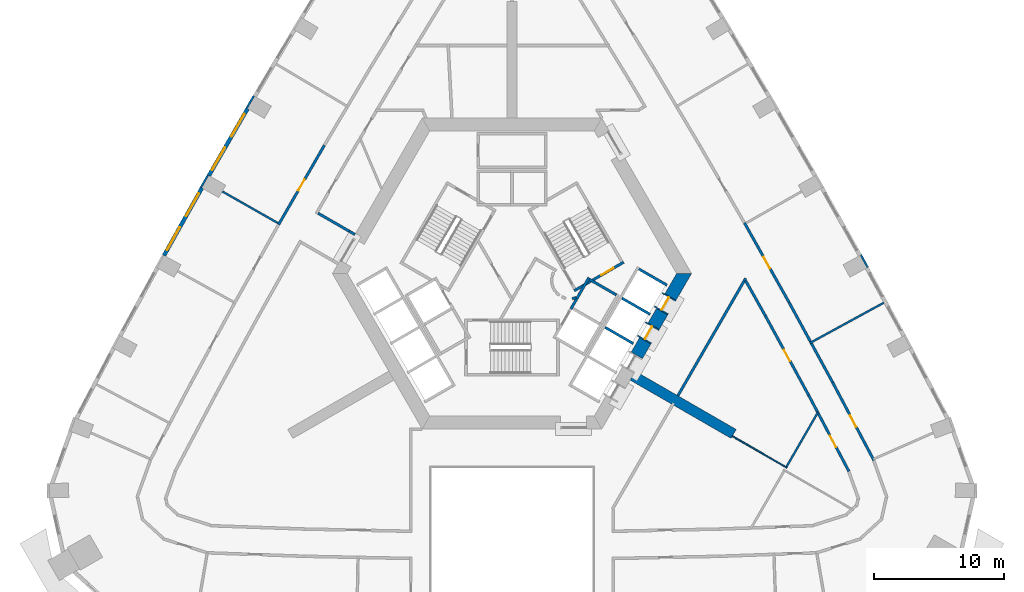
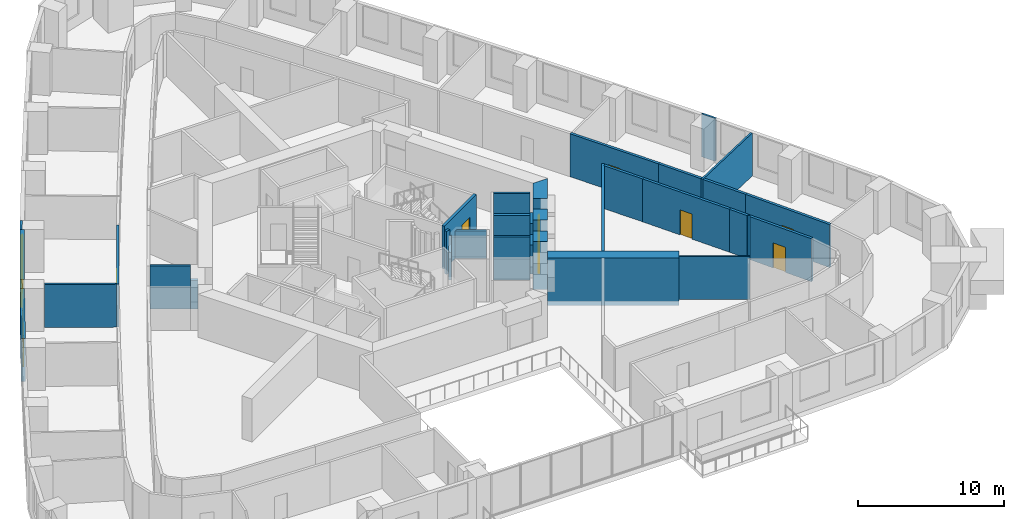
# One storey, part 7 of 14: 34 walls, 8 doors, 4 windows, 12 openings.
"""IFC4 building model written with IfcOpenShell, lengths in metres."""

from ifc_helpers import new_model, si_unit, direction, frame, frame_2d, origin, place, context, subcontext, project, spatial, polyline, rectangle, outline, extrude, material, layer, layer_set, type_object, element, fill, save


model = new_model("IFC4")

# Units and contexts
model_context = context("Model", 3, precision=1e-05, world=origin(), true_north=direction((0.0, 1.0)))
body_context = subcontext(model_context, "Body", "Model", "MODEL_VIEW")
ifc_project = project(units=[si_unit("LENGTHUNIT", "METRE"), si_unit("AREAUNIT", "SQUARE_METRE"), si_unit("VOLUMEUNIT", "CUBIC_METRE"), si_unit("PLANEANGLEUNIT", "RADIAN"), si_unit("MASSUNIT", "GRAM", prefix="KILO")], contexts=[model_context])

# Site, building, storey
site_placement = place(None, origin())
site = spatial("IfcSite", under=ifc_project, at=site_placement, CompositionType="ELEMENT")
building_placement = place(site_placement, origin())
building = spatial("IfcBuilding", under=site, at=building_placement, Name="Entoto Arch Interchange Tower", CompositionType="ELEMENT")
storey_placement = place(building_placement, frame((0.0, 0.0, 180.199951171875)))
storey = spatial("IfcBuildingStorey", under=building, at=storey_placement, Name="L40", CompositionType="ELEMENT", Elevation=180.199951171875)

# Walls
ifc_material_1 = material(Name="Concrete C50/60", Category="concrete")
ifc_layer_1 = layer(ifc_material_1, 0.800048828125)
ifc_layer_set_1 = layer_set([ifc_layer_1], Name="Concrete C50/60")
wall_type_1 = type_object("IfcWallType", Name="Buttress wall 800 C50/60", PredefinedType="SHEAR", material=ifc_layer_set_1)
wall_1_placement = place(storey_placement, frame((9.31005859375, -5.375, -0.39990234375), z_axis=(0.0, 0.0, 1.0), x_axis=(0.866017533419, -0.500013631625, 0.0)))
element("IfcWall", 1, at=wall_1_placement, inside=storey, type_object=wall_type_1, Name="Buttress wall SE L40", PredefinedType="SHEAR", context=body_context, shape_type="SweptSolid", body=[
    extrude(rectangle(XDim=8.999755859375, YDim=0.800048828125, at=frame_2d((4.5, 0.0))), origin(), (0.0, 0.0, 1.0), 4.0),
])
ifc_layer_2 = layer(ifc_material_1, 1.0)
ifc_layer_set_2 = layer_set([ifc_layer_2], Name="Concrete C50/60")
wall_type_2 = type_object("IfcWallType", Name="Core wall 1000 C50/60", PredefinedType="SHEAR", material=ifc_layer_set_2)
wall_2_placement = place(storey_placement, frame((0.0, 0.0, -0.39990234375)))
element("IfcWall", 2, at=wall_2_placement, inside=storey, type_object=wall_type_2, Name="Core wall SE L40", PredefinedType="SHEAR", context=body_context, shape_type="SweptSolid", body=[
    extrude(outline(polyline([(10.717041015625, -2.93701171875), (9.85107421875, -2.43701171875), (9.200927734375, -3.56298828125), (10.06689453125, -4.06298828125), (10.717041015625, -2.93701171875)])), origin(), (0.0, 0.0, 1.0), 4.0),
])
wall_3_placement = place(storey_placement, frame((0.0, 0.0, -0.39990234375)))
element("IfcWall", 3, at=wall_3_placement, inside=storey, type_object=wall_type_2, Name="Core wall SE L40", PredefinedType="SHEAR", context=body_context, shape_type="SweptSolid", body=[
    extrude(outline(polyline([(12.01708984375, -0.68603515625), (11.15087890625, -0.18603515625), (10.5009765625, -1.31103515625), (11.366943359375, -1.81103515625), (12.01708984375, -0.68603515625)])), origin(), (0.0, 0.0, 1.0), 4.0),
])
wall_4_placement = place(storey_placement, frame((0.0, 0.0, -0.39990234375)))
element("IfcWall", 4, at=wall_4_placement, inside=storey, type_object=wall_type_2, Name="Core wall SE L40", PredefinedType="SHEAR", context=body_context, shape_type="SweptSolid", body=[
    extrude(outline(polyline([(11.801025390625, 0.93994140625), (12.6669921875, 0.43994140625), (13.85595703125, 2.5), (12.701904296875, 2.5), (11.801025390625, 0.93994140625)])), origin(), (0.0, 0.0, 1.0), 4.0),
])

# Wall, opening, door
ifc_material_2 = material(Name="Concrete C40/50", Category="concrete")
ifc_layer_3 = layer(ifc_material_2, 1.199951171875)
ifc_layer_set_3 = layer_set([ifc_layer_3], Name="Concrete C40/50")
wall_type_3 = type_object("IfcWallType", Name="LIFT LANDING INFILL WALL", PredefinedType="STANDARD", material=ifc_layer_set_3)
wall_5_placement = place(storey_placement, frame((10.197998046875, -2.636962890625, 0.0), z_axis=(0.0, 0.0, 1.0), x_axis=(0.49989585183, 0.866085525409, 0.0)))
wall_5 = element("IfcWall", 5, at=wall_5_placement, inside=storey, type_object=wall_type_3, Name="Lift landing infill wall LR7 L40", PredefinedType="STANDARD", context=body_context, shape_type="SweptSolid", body=[
    extrude(rectangle(XDim=1.300048828125, YDim=1.199951171875, at=frame_2d((0.64990234375, 0.0))), origin(), (0.0, 0.0, 1.0), 2.400146484375),
])
opening_1_placement = place(wall_5_placement, frame((0.10009765625, 0.0, 0.0)))
opening_1 = element("IfcOpeningElement", 6, at=opening_1_placement, cuts=wall_5, Name="Opening LD-LR7-L40", PredefinedType="OPENING", context=body_context, shape_type="SweptSolid", body=[
    extrude(rectangle(XDim=1.10009765625, YDim=2.300048828125, at=frame_2d((0.550048828125, 1.14990234375))), frame((0.0, 0.60986328125, 0.0), z_axis=(0.0, -1.0, 0.0), x_axis=(1.0, 0.0, 0.0)), (0.0, 0.0, 1.0), 1.219970703125),
])
ifc_material_3 = material(Name="Stainless steel 1.4301 panels", Category="steel")
door_type_1 = type_object("IfcDoorType", Name="LIFT LANDING DOOR LD2 1100x2300", OperationType="SLIDING_TO_LEFT", PredefinedType="DOOR", material=ifc_material_3)
door_1_placement = place(opening_1_placement, origin())
door_1 = element("IfcDoor", 7, at=door_1_placement, inside=storey, type_object=door_type_1, Name="Lift landing door LR7 L40", OperationType="SLIDING_TO_LEFT", OverallHeight=2.300048828125, OverallWidth=1.10009765625, PredefinedType="DOOR", context=body_context, shape_type="SweptSolid", body=[
    extrude(rectangle(XDim=1.10009765625, YDim=2.300048828125, at=frame_2d((0.550048828125, 1.14990234375))), frame((0.0, 0.02490234375, 0.0), z_axis=(0.0, -1.0, 0.0), x_axis=(1.0, 0.0, 0.0)), (0.0, 0.0, 1.0), 0.050048828125),
])
fill(opening_1, door_1)

wall_6_placement = place(storey_placement, frame((11.498046875, -0.385009765625, 0.0), z_axis=(0.0, 0.0, 1.0), x_axis=(0.500221244143, 0.865897630733, 0.0)))
wall_6 = element("IfcWall", 8, at=wall_6_placement, inside=storey, type_object=wall_type_3, Name="Lift landing infill wall LR8 L40", PredefinedType="STANDARD", context=body_context, shape_type="SweptSolid", body=[
    extrude(rectangle(XDim=1.29931640625, YDim=1.199951171875, at=frame_2d((0.649658203125, 0.0))), origin(), (0.0, 0.0, 1.0), 2.400146484375),
])
opening_2_placement = place(wall_6_placement, frame((0.10009765625, 0.0, 0.0)))
opening_2 = element("IfcOpeningElement", 9, at=opening_2_placement, cuts=wall_6, Name="Opening LD-LR8-L40", PredefinedType="OPENING", context=body_context, shape_type="SweptSolid", body=[
    extrude(rectangle(XDim=1.10009765625, YDim=2.300048828125, at=frame_2d((0.550048828125, 1.14990234375))), frame((0.0, 0.60986328125, 0.0), z_axis=(0.0, -1.0, 0.0), x_axis=(1.0, 0.0, 0.0)), (0.0, 0.0, 1.0), 1.219970703125),
])
door_2_placement = place(opening_2_placement, origin())
door_2 = element("IfcDoor", 10, at=door_2_placement, inside=storey, type_object=door_type_1, Name="Lift landing door LR8 L40", OperationType="SLIDING_TO_LEFT", OverallHeight=2.300048828125, OverallWidth=1.10009765625, PredefinedType="DOOR", context=body_context, shape_type="SweptSolid", body=[
    extrude(rectangle(XDim=1.10009765625, YDim=2.300048828125, at=frame_2d((0.550048828125, 1.14990234375))), frame((0.0, 0.02490234375, 0.0), z_axis=(0.0, -1.0, 0.0), x_axis=(1.0, 0.0, 0.0)), (0.0, 0.0, 1.0), 0.050048828125),
])
fill(opening_2, door_2)

# Walls
ifc_layer_4 = layer(ifc_material_2, 0.199951171875)
ifc_layer_set_4 = layer_set([ifc_layer_4], Name="Concrete C40/50")
wall_type_4 = type_object("IfcWallType", Name="LIFT SHAFT WALL 200", PredefinedType="STANDARD", material=ifc_layer_set_4)
for number, where, z_axis, x_axis, name in (
    (11, (7.18798828125, -1.64990234375, 0.0), (0.0, 0.0, 1.0), (0.866022959057, -0.500004234368, 0.0), "Shaft wall SE3 cross 3"),
    (12, (8.488037109375, 0.60205078125, 0.0), (0.0, 0.0, 1.0), (0.866022959057, -0.500004234368, 0.0), "Shaft wall SE3 cross 4"),
):
    element("IfcWall", number, at=place(storey_placement, frame(where, z_axis=z_axis, x_axis=x_axis)), inside=storey, type_object=wall_type_4, Name=name, PredefinedType="STANDARD", context=body_context, shape_type="SweptSolid", body=[
        extrude(rectangle(XDim=2.5, YDim=0.199951171875, at=frame_2d((1.25, 0.0))), origin(), (0.0, 0.0, 1.0), 3.60009765625),
    ])
wall_7_placement = place(storey_placement, frame((9.7880859375, 2.85302734375, 0.0), z_axis=(0.0, 0.0, 1.0), x_axis=(0.865998541277, -0.500046524342, 0.0)))
element("IfcWall", 13, at=wall_7_placement, inside=storey, type_object=wall_type_4, Name="Shaft wall SE3 cross 5", PredefinedType="STANDARD", context=body_context, shape_type="SweptSolid", body=[
    extrude(rectangle(XDim=2.499755859375, YDim=0.199951171875, at=frame_2d((1.25, 0.0))), origin(), (0.0, 0.0, 1.0), 3.60009765625),
])
wall_8_placement = place(storey_placement, frame((4.5400390625, -0.237060546875, 0.0), z_axis=(0.0, 0.0, 1.0), x_axis=(0.49994636267, 0.866056369097, 0.0)))
element("IfcWall", 14, at=wall_8_placement, inside=storey, type_object=wall_type_4, Name="Pit wall HR3 1", PredefinedType="STANDARD", context=body_context, shape_type="SweptSolid", body=[
    extrude(rectangle(XDim=2.800048828125, YDim=0.199951171875, at=frame_2d((1.39990234375, 0.0))), origin(), (0.0, 0.0, 1.0), 2.300048828125),
])
wall_9_placement = place(storey_placement, frame((5.97705078125, 2.052001953125, 0.0), z_axis=(0.0, 0.0, 1.0), x_axis=(0.865973769406, -0.500089422704, 0.0)))
element("IfcWall", 15, at=wall_9_placement, inside=storey, type_object=wall_type_4, Name="Pit wall HR3 4", PredefinedType="STANDARD", context=body_context, shape_type="SweptSolid", body=[
    extrude(rectangle(XDim=2.3994140625, YDim=0.199951171875, at=frame_2d((1.19970703125, 0.0))), origin(), (0.0, 0.0, 1.0), 2.300048828125),
])
ifc_material_4 = material(Name="Gypsum board partition on steel studs", Category="steel")
ifc_layer_5 = layer(ifc_material_4, 0.10009765625)
ifc_layer_set_5 = layer_set([ifc_layer_5], Name="Gypsum board partition on steel studs")
wall_type_5 = type_object("IfcWallType", Name="PARTITION 100", PredefinedType="PARTITIONING", material=ifc_layer_set_5)
wall_10_placement = place(storey_placement, frame((17.00390625, -10.047119140625, 0.0), z_axis=(0.0, 0.0, 1.0), x_axis=(0.865997117979, -0.500048989253, 0.0)))
element("IfcWall", 16, at=wall_10_placement, inside=storey, type_object=wall_type_5, Name="wall:L40:p108", PredefinedType="PARTITIONING", context=body_context, shape_type="SweptSolid", body=[
    extrude(rectangle(XDim=4.87548828125, YDim=0.10009765625, at=frame_2d((2.437744140625, 0.0))), origin(), (0.0, 0.0, 1.0), 3.60009765625),
])
ifc_layer_6 = layer(ifc_material_4, 0.14990234375)
ifc_layer_set_6 = layer_set([ifc_layer_6], Name="Gypsum board partition on steel studs")
wall_type_6 = type_object("IfcWallType", Name="PARTITION 150", PredefinedType="PARTITIONING", material=ifc_layer_set_6)
wall_11_placement = place(storey_placement, frame((23.60009765625, -8.22412109375, 0.0), z_axis=(0.0, 0.0, 1.0), x_axis=(-0.500120854176, -0.865955617349, 0.0)))
element("IfcWall", 17, at=wall_11_placement, inside=storey, type_object=wall_type_6, Name="wall:L40:p110", PredefinedType="PARTITIONING", context=body_context, shape_type="SweptSolid", body=[
    extrude(rectangle(XDim=4.826904296875, YDim=0.14990234375, at=frame_2d((2.41357421875, 0.0))), origin(), (0.0, 0.0, 1.0), 3.60009765625),
])
wall_12_placement = place(storey_placement, frame((22.97802734375, -2.865966796875, 0.0), z_axis=(0.0, 0.0, 1.0), x_axis=(0.878049098929, 0.478570558925, 0.0)))
element("IfcWall", 18, at=wall_12_placement, inside=storey, type_object=wall_type_6, Name="wall:L40:p115", PredefinedType="PARTITIONING", context=body_context, shape_type="SweptSolid", body=[
    extrude(rectangle(XDim=6.500732421875, YDim=0.14990234375, at=frame_2d((3.25048828125, 0.0))), origin(), (0.0, 0.0, 1.0), 3.60009765625),
])
wall_13_placement = place(storey_placement, frame((-18.06201171875, 6.39501953125, 0.0), z_axis=(0.0, 0.0, 1.0), x_axis=(-0.869113540562, 0.494612629854, 0.0)))
element("IfcWall", 19, at=wall_13_placement, inside=storey, type_object=wall_type_6, Name="wall:L40:p123", PredefinedType="PARTITIONING", context=body_context, shape_type="SweptSolid", body=[
    extrude(rectangle(XDim=4.92919921875, YDim=0.14990234375, at=frame_2d((2.464599609375, 0.0))), origin(), (0.0, 0.0, 1.0), 3.60009765625),
])
ifc_layer_7 = layer(ifc_material_4, 0.199951171875)
ifc_layer_set_7 = layer_set([ifc_layer_7], Name="Gypsum board partition on steel studs")
wall_type_7 = type_object("IfcWallType", Name="PARTITION 200", PredefinedType="PARTITIONING", material=ifc_layer_set_7)
wall_14_placement = place(storey_placement, frame((-14.966064453125, 7.156982421875, 0.0), z_axis=(0.0, 0.0, 1.0), x_axis=(0.86600487494, -0.500035555316, 0.0)))
element("IfcWall", 20, at=wall_14_placement, inside=storey, type_object=wall_type_7, Name="wall:L40:p004", PredefinedType="PARTITIONING", context=body_context, shape_type="SweptSolid", body=[
    extrude(rectangle(XDim=2.789794921875, YDim=0.199951171875, at=frame_2d((1.39501953125, 0.0))), origin(), (0.0, 0.0, 1.0), 3.60009765625),
])
wall_15_placement = place(storey_placement, frame((23.56494140625, -8.157958984375, 0.0), z_axis=(0.0, 0.0, 1.0), x_axis=(-0.46753134131, 0.883976495668, 0.0)))
element("IfcWall", 21, at=wall_15_placement, inside=storey, type_object=wall_type_7, Name="wall:L40:p022", PredefinedType="PARTITIONING", context=body_context, shape_type="SweptSolid", body=[
    extrude(rectangle(XDim=1.447998046875, YDim=0.199951171875, at=frame_2d((0.72412109375, 0.0))), origin(), (0.0, 0.0, 1.0), 3.60009765625),
])

# Wall, opening, door
wall_16_placement = place(storey_placement, frame((22.887939453125, -6.8779296875, 0.0), z_axis=(0.0, 0.0, 1.0), x_axis=(-0.478665365973, 0.877997418799, 0.0)))
wall_16 = element("IfcWall", 22, at=wall_16_placement, inside=storey, type_object=wall_type_7, Name="wall:L40:p023", PredefinedType="PARTITIONING", context=body_context, shape_type="SweptSolid", body=[
    extrude(rectangle(XDim=6.961181640625, YDim=0.199951171875, at=frame_2d((3.48046875, 0.0))), origin(), (0.0, 0.0, 1.0), 3.60009765625),
])
opening_3_placement = place(wall_16_placement, frame((2.98095703125, 0.0, 0.0)))
opening_3 = element("IfcOpeningElement", 23, at=opening_3_placement, cuts=wall_16, Name="Opening L40-D20", PredefinedType="OPENING", context=body_context, shape_type="SweptSolid", body=[
    extrude(rectangle(XDim=1.0, YDim=2.10009765625, at=frame_2d((0.5, 1.050048828125))), frame((0.0, 0.10986328125, 0.0), z_axis=(0.0, -1.0, 0.0), x_axis=(1.0, 0.0, 0.0)), (0.0, 0.0, 1.0), 0.219970703125),
])
ifc_material_5 = material(Name="Timber door leaf in Steel S235 frame", Category="steel")
door_type_2 = type_object("IfcDoorType", Name="DOOR DS-10 1000x2100", OperationType="SINGLE_SWING_LEFT", PredefinedType="DOOR", material=ifc_material_5)
door_3_placement = place(opening_3_placement, origin())
door_3 = element("IfcDoor", 24, at=door_3_placement, inside=storey, type_object=door_type_2, Name="door:L40:20", OperationType="SINGLE_SWING_LEFT", OverallHeight=2.10009765625, OverallWidth=1.0, PredefinedType="DOOR", context=body_context, shape_type="SweptSolid", body=[
    extrude(rectangle(XDim=1.0, YDim=2.10009765625, at=frame_2d((0.5, 1.050048828125))), frame((0.0, 0.02490234375, 0.0), z_axis=(0.0, -1.0, 0.0), x_axis=(1.0, 0.0, 0.0)), (0.0, 0.0, 1.0), 0.050048828125),
])
fill(opening_3, door_3)

# Wall
wall_17_placement = place(storey_placement, frame((19.555908203125, -0.76611328125, 0.0), z_axis=(0.0, 0.0, 1.0), x_axis=(-0.489198731197, 0.872172346154, 0.0)))
element("IfcWall", 25, at=wall_17_placement, inside=storey, type_object=wall_type_7, Name="wall:L40:p024", PredefinedType="PARTITIONING", context=body_context, shape_type="SweptSolid", body=[
    extrude(rectangle(XDim=3.12109375, YDim=0.199951171875, at=frame_2d((1.560546875, 0.0))), origin(), (0.0, 0.0, 1.0), 3.60009765625),
])

# Wall, opening, door
wall_18_placement = place(storey_placement, frame((26.0, -12.761962890625, 0.0), z_axis=(0.0, 0.0, 1.0), x_axis=(-0.467534471159, 0.883974840297, 0.0)))
wall_18 = element("IfcWall", 26, at=wall_18_placement, inside=storey, type_object=wall_type_7, Name="wall:L40:p031", PredefinedType="PARTITIONING", context=body_context, shape_type="SweptSolid", body=[
    extrude(rectangle(XDim=5.208251953125, YDim=0.199951171875, at=frame_2d((2.60400390625, 0.0))), origin(), (0.0, 0.0, 1.0), 3.60009765625),
])
opening_4_placement = place(wall_18_placement, frame((2.10400390625, 0.0, 0.0)))
opening_4 = element("IfcOpeningElement", 27, at=opening_4_placement, cuts=wall_18, Name="Opening L40-D22", PredefinedType="OPENING", context=body_context, shape_type="SweptSolid", body=[
    extrude(rectangle(XDim=1.0, YDim=2.10009765625, at=frame_2d((0.5, 1.050048828125))), frame((0.0, 0.10986328125, 0.0), z_axis=(0.0, -1.0, 0.0), x_axis=(1.0, 0.0, 0.0)), (0.0, 0.0, 1.0), 0.219970703125),
])
door_4_placement = place(opening_4_placement, origin())
door_4 = element("IfcDoor", 28, at=door_4_placement, inside=storey, type_object=door_type_2, Name="door:L40:22", OperationType="SINGLE_SWING_LEFT", OverallHeight=2.10009765625, OverallWidth=1.0, PredefinedType="DOOR", context=body_context, shape_type="SweptSolid", body=[
    extrude(rectangle(XDim=1.0, YDim=2.10009765625, at=frame_2d((0.5, 1.050048828125))), frame((0.0, 0.02490234375, 0.0), z_axis=(0.0, -1.0, 0.0), x_axis=(1.0, 0.0, 0.0)), (0.0, 0.0, 1.0), 0.050048828125),
])
fill(opening_4, door_4)

# Wall
wall_19_placement = place(storey_placement, frame((23.10205078125, -2.884033203125, 0.0), z_axis=(0.0, 0.0, 1.0), x_axis=(0.478646929322, -0.878007469815, 0.0)))
element("IfcWall", 29, at=wall_19_placement, inside=storey, type_object=wall_type_7, Name="wall:L40:p049", PredefinedType="PARTITIONING", context=body_context, shape_type="SweptSolid", body=[
    extrude(rectangle(XDim=3.41796875, YDim=0.199951171875, at=frame_2d((1.708984375, 0.0))), origin(), (0.0, 0.0, 1.0), 3.60009765625),
])

# Wall, opening, door
wall_20_placement = place(storey_placement, frame((24.738037109375, -5.885009765625, 0.0), z_axis=(0.0, 0.0, 1.0), x_axis=(0.467616297571, -0.883931557444, 0.0)))
wall_20 = element("IfcWall", 30, at=wall_20_placement, inside=storey, type_object=wall_type_7, Name="wall:L40:p050", PredefinedType="PARTITIONING", context=body_context, shape_type="SweptSolid", body=[
    extrude(rectangle(XDim=6.819580078125, YDim=0.199951171875, at=frame_2d((3.40966796875, 0.0))), origin(), (0.0, 0.0, 1.0), 3.60009765625),
])
opening_5_placement = place(wall_20_placement, frame((2.909912109375, 0.0, 0.0)))
opening_5 = element("IfcOpeningElement", 31, at=opening_5_placement, cuts=wall_20, Name="Opening L40-D04", PredefinedType="OPENING", context=body_context, shape_type="SweptSolid", body=[
    extrude(rectangle(XDim=1.0, YDim=2.10009765625, at=frame_2d((0.5, 1.050048828125))), frame((0.0, 0.10986328125, 0.0), z_axis=(0.0, -1.0, 0.0), x_axis=(1.0, 0.0, 0.0)), (0.0, 0.0, 1.0), 0.219970703125),
])
door_5_placement = place(opening_5_placement, origin())
door_5 = element("IfcDoor", 32, at=door_5_placement, inside=storey, type_object=door_type_2, Name="door:L40:04", OperationType="SINGLE_SWING_LEFT", OverallHeight=2.10009765625, OverallWidth=1.0, PredefinedType="DOOR", context=body_context, shape_type="SweptSolid", body=[
    extrude(rectangle(XDim=1.0, YDim=2.10009765625, at=frame_2d((0.5, 1.050048828125))), frame((0.0, 0.02490234375, 0.0), z_axis=(0.0, -1.0, 0.0), x_axis=(1.0, 0.0, 0.0)), (0.0, 0.0, 1.0), 0.050048828125),
])
fill(opening_5, door_5)

wall_21_placement = place(storey_placement, frame((17.93798828125, 6.410888671875, 0.0), z_axis=(0.0, 0.0, 1.0), x_axis=(0.48930419744, -0.872113182086, 0.0)))
wall_21 = element("IfcWall", 33, at=wall_21_placement, inside=storey, type_object=wall_type_7, Name="wall:L40:p051", PredefinedType="PARTITIONING", context=body_context, shape_type="SweptSolid", body=[
    extrude(rectangle(XDim=7.063232421875, YDim=0.199951171875, at=frame_2d((3.53173828125, 0.0))), origin(), (0.0, 0.0, 1.0), 3.60009765625),
])
opening_6_placement = place(wall_21_placement, frame((3.031982421875, 0.0, 0.0)))
opening_6 = element("IfcOpeningElement", 34, at=opening_6_placement, cuts=wall_21, Name="Opening L40-D05", PredefinedType="OPENING", context=body_context, shape_type="SweptSolid", body=[
    extrude(rectangle(XDim=1.0, YDim=2.10009765625, at=frame_2d((0.5, 1.050048828125))), frame((0.0, 0.10986328125, 0.0), z_axis=(0.0, -1.0, 0.0), x_axis=(1.0, 0.0, 0.0)), (0.0, 0.0, 1.0), 0.219970703125),
])
door_6_placement = place(opening_6_placement, origin())
door_6 = element("IfcDoor", 35, at=door_6_placement, inside=storey, type_object=door_type_2, Name="door:L40:05", OperationType="SINGLE_SWING_LEFT", OverallHeight=2.10009765625, OverallWidth=1.0, PredefinedType="DOOR", context=body_context, shape_type="SweptSolid", body=[
    extrude(rectangle(XDim=1.0, YDim=2.10009765625, at=frame_2d((0.5, 1.050048828125))), frame((0.0, 0.02490234375, 0.0), z_axis=(0.0, -1.0, 0.0), x_axis=(1.0, 0.0, 0.0)), (0.0, 0.0, 1.0), 0.050048828125),
])
fill(opening_6, door_6)

# Wall
wall_22_placement = place(storey_placement, frame((21.39404296875, 0.2509765625, 0.0), z_axis=(0.0, 0.0, 1.0), x_axis=(0.478406883784, -0.878138288397, 0.0)))
element("IfcWall", 36, at=wall_22_placement, inside=storey, type_object=wall_type_7, Name="wall:L40:p052", PredefinedType="PARTITIONING", context=body_context, shape_type="SweptSolid", body=[
    extrude(rectangle(XDim=3.419677734375, YDim=0.199951171875, at=frame_2d((1.7099609375, 0.0))), origin(), (0.0, 0.0, 1.0), 3.60009765625),
])

# Wall, opening, door
wall_23_placement = place(storey_placement, frame((-18.011962890625, 6.280029296875, 0.0), z_axis=(0.0, 0.0, 1.0), x_axis=(0.49995092924, 0.866053732947, 0.0)))
wall_23 = element("IfcWall", 37, at=wall_23_placement, inside=storey, type_object=wall_type_7, Name="wall:L40:p065", PredefinedType="PARTITIONING", context=body_context, shape_type="SweptSolid", body=[
    extrude(rectangle(XDim=7.060791015625, YDim=0.199951171875, at=frame_2d((3.5302734375, 0.0))), origin(), (0.0, 0.0, 1.0), 3.60009765625),
])
opening_7_placement = place(wall_23_placement, frame((3.030029296875, 0.0, 0.0)))
opening_7 = element("IfcOpeningElement", 38, at=opening_7_placement, cuts=wall_23, Name="Opening L40-D12", PredefinedType="OPENING", context=body_context, shape_type="SweptSolid", body=[
    extrude(rectangle(XDim=1.0, YDim=2.10009765625, at=frame_2d((0.5, 1.050048828125))), frame((0.0, 0.10986328125, 0.0), z_axis=(0.0, -1.0, 0.0), x_axis=(1.0, 0.0, 0.0)), (0.0, 0.0, 1.0), 0.219970703125),
])
door_7_placement = place(opening_7_placement, origin())
door_7 = element("IfcDoor", 39, at=door_7_placement, inside=storey, type_object=door_type_2, Name="door:L40:12", OperationType="SINGLE_SWING_LEFT", OverallHeight=2.10009765625, OverallWidth=1.0, PredefinedType="DOOR", context=body_context, shape_type="SweptSolid", body=[
    extrude(rectangle(XDim=1.0, YDim=2.10009765625, at=frame_2d((0.5, 1.050048828125))), frame((0.0, 0.02490234375, 0.0), z_axis=(0.0, -1.0, 0.0), x_axis=(1.0, 0.0, 0.0)), (0.0, 0.0, 1.0), 0.050048828125),
])
fill(opening_7, door_7)

# Walls
wall_24_placement = place(storey_placement, frame((4.64404296875, 0.56396484375, 0.0), z_axis=(0.0, 0.0, 1.0), x_axis=(0.970004408322, 0.243087325534, 0.0)))
element("IfcWall", 40, at=wall_24_placement, inside=storey, type_object=wall_type_7, Name="wall:L40:p094", PredefinedType="PARTITIONING", context=body_context, shape_type="SweptSolid", body=[
    extrude(rectangle(XDim=0.312255859375, YDim=0.199951171875, at=frame_2d((0.15625, 0.0))), origin(), (0.0, 0.0, 1.0), 3.60009765625),
])
wall_25_placement = place(storey_placement, frame((18.030029296875, 2.1298828125, 0.0), z_axis=(0.0, 0.0, 1.0), x_axis=(-0.499919790729, -0.866071707676, 0.0)))
element("IfcWall", 41, at=wall_25_placement, inside=storey, type_object=wall_type_7, Name="wall:L40:p102", PredefinedType="PARTITIONING", context=body_context, shape_type="SweptSolid", body=[
    extrude(rectangle(XDim=10.459716796875, YDim=0.199951171875, at=frame_2d((5.22998046875, 0.0))), origin(), (0.0, 0.0, 1.0), 3.60009765625),
])
wall_26_placement = place(storey_placement, frame((-12.550048828125, 5.761962890625, 0.0), z_axis=(0.0, 0.0, 1.0), x_axis=(0.866071776036, -0.499919672301, 0.0)))
element("IfcWall", 42, at=wall_26_placement, inside=storey, type_object=wall_type_7, Name="wall:L40:p004", PredefinedType="PARTITIONING", context=body_context, shape_type="SweptSolid", body=[
    extrude(rectangle(XDim=0.5, YDim=0.199951171875, at=frame_2d((0.25, 0.0))), origin(), (0.0, 0.0, 1.0), 2.400146484375),
])

# Wall, opening, door
ifc_layer_8 = layer(ifc_material_2, 0.199951171875)
ifc_layer_set_8 = layer_set([ifc_layer_8], Name="Concrete C40/50")
wall_type_8 = type_object("IfcWallType", Name="STAIR ENCLOSURE WALL 200", PredefinedType="STANDARD", material=ifc_layer_set_8)
wall_27_placement = place(storey_placement, frame((4.805908203125, 1.176025390625, 0.0), z_axis=(0.0, 0.0, 1.0), x_axis=(0.866059941101, 0.499940174841, 0.0)))
wall_27 = element("IfcWall", 43, at=wall_27_placement, inside=storey, type_object=wall_type_8, Name="Stair wall ST-NE near", PredefinedType="STANDARD", context=body_context, shape_type="SweptSolid", body=[
    extrude(rectangle(XDim=4.400390625, YDim=0.199951171875, at=frame_2d((2.2001953125, 0.0))), origin(), (0.0, 0.0, 1.0), 3.60009765625),
])
opening_8_placement = place(wall_27_placement, frame((2.39990234375, 0.0, 0.0)))
opening_8 = element("IfcOpeningElement", 44, at=opening_8_placement, cuts=wall_27, Name="Opening SD-ST-NE-L40-E", PredefinedType="OPENING", context=body_context, shape_type="SweptSolid", body=[
    extrude(rectangle(XDim=1.10009765625, YDim=2.199951171875, at=frame_2d((0.550048828125, 1.10009765625))), frame((0.0, 0.10986328125, 0.0), z_axis=(0.0, -1.0, 0.0), x_axis=(1.0, 0.0, 0.0)), (0.0, 0.0, 1.0), 0.219970703125),
])
ifc_material_6 = material(Name="Steel S235", Category="steel")
door_type_3 = type_object("IfcDoorType", Name="STAIR DOOR SD1 1100x2200", OperationType="SINGLE_SWING_LEFT", PredefinedType="DOOR", material=ifc_material_6)
door_8_placement = place(opening_8_placement, origin())
door_8 = element("IfcDoor", 45, at=door_8_placement, inside=storey, type_object=door_type_3, Name="Stair door ST-NE L40 end", OperationType="SINGLE_SWING_LEFT", OverallHeight=2.199951171875, OverallWidth=1.10009765625, PredefinedType="DOOR", context=body_context, shape_type="SweptSolid", body=[
    extrude(rectangle(XDim=1.10009765625, YDim=2.199951171875, at=frame_2d((0.550048828125, 1.10009765625))), frame((0.0, 0.02490234375, 0.0), z_axis=(0.0, -1.0, 0.0), x_axis=(1.0, 0.0, 0.0)), (0.0, 0.0, 1.0), 0.050048828125),
])
fill(opening_8, door_8)

# Wall, openings, windows
ifc_material_7 = material(Name="Welded tuff (ignimbrite) cladding, warm buff", Category="masonry")
ifc_layer_9 = layer(ifc_material_7, 0.300048828125)
ifc_layer_set_9 = layer_set([ifc_layer_9], Name="Welded tuff (ignimbrite) cladding, warm buff")
wall_type_9 = type_object("IfcWallType", Name="STONE INFILL WALL 300", PredefinedType="STANDARD", material=ifc_layer_set_9)
wall_28_placement = place(storey_placement, frame((-20.408935546875, 15.22998046875, 0.0), z_axis=(0.0, 0.0, 1.0), x_axis=(-0.499908916093, -0.866077984716, 0.0)))
wall_28 = element("IfcWall", 46, at=wall_28_placement, inside=storey, type_object=wall_type_9, Name="Facade wall NW-04 L40", PredefinedType="STANDARD", context=body_context, shape_type="SweptSolid", body=[
    extrude(rectangle(XDim=5.96923828125, YDim=0.300048828125, at=frame_2d((2.984619140625, 0.0))), origin(), (0.0, 0.0, 1.0), 3.60009765625),
])
opening_9_placement = place(wall_28_placement, frame((0.491943359375, 0.0, 0.89990234375)))
opening_9 = element("IfcOpeningElement", 47, at=opening_9_placement, cuts=wall_28, Name="Opening WO-C", PredefinedType="OPENING", context=body_context, shape_type="SweptSolid", body=[
    extrude(rectangle(XDim=2.0, YDim=2.60009765625, at=frame_2d((1.0, 1.300048828125))), frame((0.0, 0.16015625, 0.0), z_axis=(0.0, -1.0, 0.0), x_axis=(1.0, 0.0, 0.0)), (0.0, 0.0, 1.0), 0.320068359375),
])
opening_10_placement = place(wall_28_placement, frame((3.47705078125, 0.0, 0.89990234375)))
opening_10 = element("IfcOpeningElement", 48, at=opening_10_placement, cuts=wall_28, Name="Opening WO-C", PredefinedType="OPENING", context=body_context, shape_type="SweptSolid", body=[
    extrude(rectangle(XDim=2.0, YDim=2.60009765625, at=frame_2d((1.0, 1.300048828125))), frame((0.0, 0.16015625, 0.0), z_axis=(0.0, -1.0, 0.0), x_axis=(1.0, 0.0, 0.0)), (0.0, 0.0, 1.0), 0.320068359375),
])
ifc_material_8 = material(Name="Clear glass, low-e double glazed", Category="glass")
window_type = type_object("IfcWindowType", Name="WINDOW WO-C 2000x2600", PartitioningType="DOUBLE_PANEL_VERTICAL", PredefinedType="WINDOW", material=ifc_material_8)
window_1_placement = place(opening_9_placement, origin())
window_1 = element("IfcWindow", 49, at=window_1_placement, inside=storey, type_object=window_type, Name="Window WO-C NW-04 L40", OverallHeight=2.60009765625, OverallWidth=2.0, PartitioningType="SINGLE_PANEL", PredefinedType="WINDOW", context=body_context, shape_type="SweptSolid", body=[
    extrude(rectangle(XDim=2.0, YDim=2.60009765625, at=frame_2d((1.0, 1.300048828125))), frame((0.0, 0.030029296875, 0.0), z_axis=(0.0, -1.0, 0.0), x_axis=(1.0, 0.0, 0.0)), (0.0, 0.0, 1.0), 0.06005859375),
])
fill(opening_9, window_1)
window_2_placement = place(opening_10_placement, origin())
window_2 = element("IfcWindow", 50, at=window_2_placement, inside=storey, type_object=window_type, Name="Window WO-C NW-04 L40", OverallHeight=2.60009765625, OverallWidth=2.0, PartitioningType="SINGLE_PANEL", PredefinedType="WINDOW", context=body_context, shape_type="SweptSolid", body=[
    extrude(rectangle(XDim=2.0, YDim=2.60009765625, at=frame_2d((1.0, 1.300048828125))), frame((0.0, 0.030029296875, 0.0), z_axis=(0.0, -1.0, 0.0), x_axis=(1.0, 0.0, 0.0)), (0.0, 0.0, 1.0), 0.06005859375),
])
fill(opening_10, window_2)

wall_29_placement = place(storey_placement, frame((-23.93603515625, 9.10595703125, 0.0), z_axis=(0.0, 0.0, 1.0), x_axis=(-0.489305602904, -0.872112393541, 0.0)))
wall_29 = element("IfcWall", 51, at=wall_29_placement, inside=storey, type_object=wall_type_9, Name="Facade wall NW-05 L40", PredefinedType="STANDARD", context=body_context, shape_type="SweptSolid", body=[
    extrude(rectangle(XDim=5.969482421875, YDim=0.300048828125, at=frame_2d((2.98486328125, 0.0))), origin(), (0.0, 0.0, 1.0), 3.60009765625),
])
opening_11_placement = place(wall_29_placement, frame((0.491943359375, 0.0, 0.89990234375)))
opening_11 = element("IfcOpeningElement", 52, at=opening_11_placement, cuts=wall_29, Name="Opening WO-C", PredefinedType="OPENING", context=body_context, shape_type="SweptSolid", body=[
    extrude(rectangle(XDim=2.0, YDim=2.60009765625, at=frame_2d((1.0, 1.300048828125))), frame((0.0, 0.16015625, 0.0), z_axis=(0.0, -1.0, 0.0), x_axis=(1.0, 0.0, 0.0)), (0.0, 0.0, 1.0), 0.320068359375),
])
opening_12_placement = place(wall_29_placement, frame((3.47705078125, 0.0, 0.89990234375)))
opening_12 = element("IfcOpeningElement", 53, at=opening_12_placement, cuts=wall_29, Name="Opening WO-C", PredefinedType="OPENING", context=body_context, shape_type="SweptSolid", body=[
    extrude(rectangle(XDim=2.0, YDim=2.60009765625, at=frame_2d((1.0, 1.300048828125))), frame((0.0, 0.16015625, 0.0), z_axis=(0.0, -1.0, 0.0), x_axis=(1.0, 0.0, 0.0)), (0.0, 0.0, 1.0), 0.320068359375),
])
window_3_placement = place(opening_11_placement, origin())
window_3 = element("IfcWindow", 54, at=window_3_placement, inside=storey, type_object=window_type, Name="Window WO-C NW-05 L40", OverallHeight=2.60009765625, OverallWidth=2.0, PartitioningType="SINGLE_PANEL", PredefinedType="WINDOW", context=body_context, shape_type="SweptSolid", body=[
    extrude(rectangle(XDim=2.0, YDim=2.60009765625, at=frame_2d((1.0, 1.300048828125))), frame((0.0, 0.030029296875, 0.0), z_axis=(0.0, -1.0, 0.0), x_axis=(1.0, 0.0, 0.0)), (0.0, 0.0, 1.0), 0.06005859375),
])
fill(opening_11, window_3)
window_4_placement = place(opening_12_placement, origin())
window_4 = element("IfcWindow", 55, at=window_4_placement, inside=storey, type_object=window_type, Name="Window WO-C NW-05 L40", OverallHeight=2.60009765625, OverallWidth=2.0, PartitioningType="SINGLE_PANEL", PredefinedType="WINDOW", context=body_context, shape_type="SweptSolid", body=[
    extrude(rectangle(XDim=2.0, YDim=2.60009765625, at=frame_2d((1.0, 1.300048828125))), frame((0.0, 0.030029296875, 0.0), z_axis=(0.0, -1.0, 0.0), x_axis=(1.0, 0.0, 0.0)), (0.0, 0.0, 1.0), 0.06005859375),
])
fill(opening_12, window_4)

# Walls
ifc_layer_10 = layer(ifc_material_7, 0.14990234375)
ifc_layer_set_10 = layer_set([ifc_layer_10], Name="Welded tuff (ignimbrite) cladding, warm buff")
wall_type_10 = type_object("IfcWallType", Name="STONE PIER CLADDING 150", PredefinedType="STANDARD", material=ifc_layer_set_10)
wall_30_placement = place(storey_placement, frame((27.4560546875, 2.97509765625, 0.0), z_axis=(0.0, 0.0, 1.0), x_axis=(-0.481850587491, 0.876253394478, 0.0)))
element("IfcWall", 56, at=wall_30_placement, inside=storey, type_object=wall_type_10, Name="Stone pier NE03 L40", PredefinedType="STANDARD", context=body_context, shape_type="SweptSolid", body=[
    extrude(rectangle(XDim=1.10009765625, YDim=0.14990234375, at=frame_2d((0.550048828125, 0.0))), origin(), (0.0, 0.0, 1.0), 3.60009765625),
])
wall_31_placement = place(storey_placement, frame((-19.9208984375, 16.217041015625, 0.0), z_axis=(0.0, 0.0, 1.0), x_axis=(-0.50667077411, -0.862139621327, 0.0)))
element("IfcWall", 57, at=wall_31_placement, inside=storey, type_object=wall_type_10, Name="Stone pier NW04 L40", PredefinedType="STANDARD", context=body_context, shape_type="SweptSolid", body=[
    extrude(rectangle(XDim=1.099609375, YDim=0.14990234375, at=frame_2d((0.5498046875, 0.0))), origin(), (0.0, 0.0, 1.0), 3.60009765625),
])
wall_32_placement = place(storey_placement, frame((-23.4609375, 10.10009765625, 0.0), z_axis=(0.0, 0.0, 1.0), x_axis=(-0.494512685492, -0.869170411305, 0.0)))
element("IfcWall", 58, at=wall_32_placement, inside=storey, type_object=wall_type_10, Name="Stone pier NW05 L40", PredefinedType="STANDARD", context=body_context, shape_type="SweptSolid", body=[
    extrude(rectangle(XDim=1.099853515625, YDim=0.14990234375, at=frame_2d((0.5498046875, 0.0))), origin(), (0.0, 0.0, 1.0), 3.60009765625),
])

save(model, "model.ifc")
